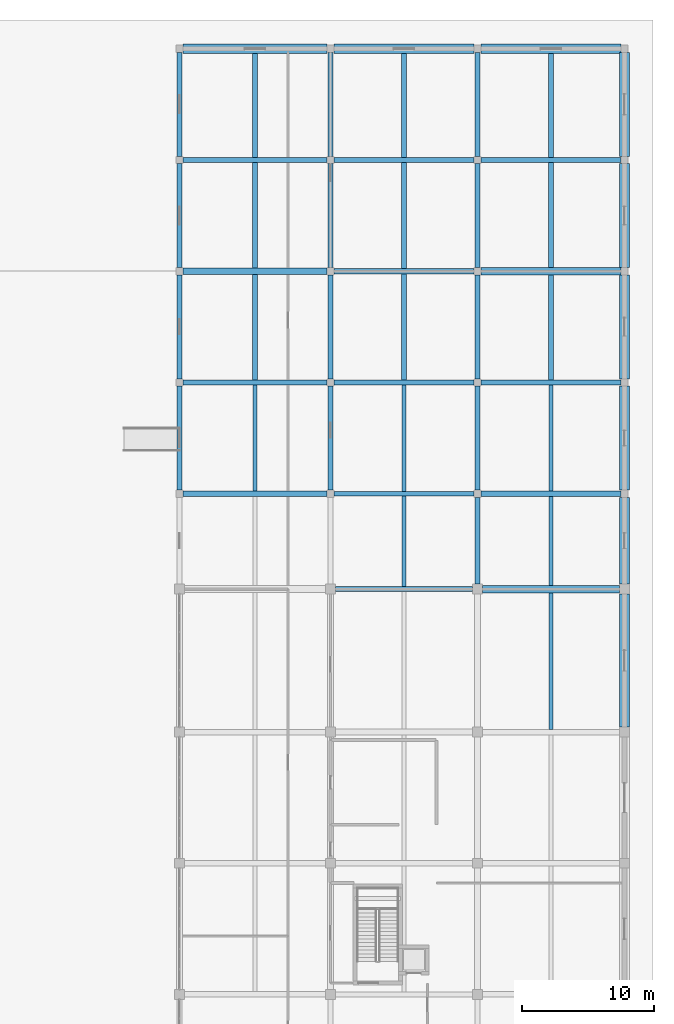
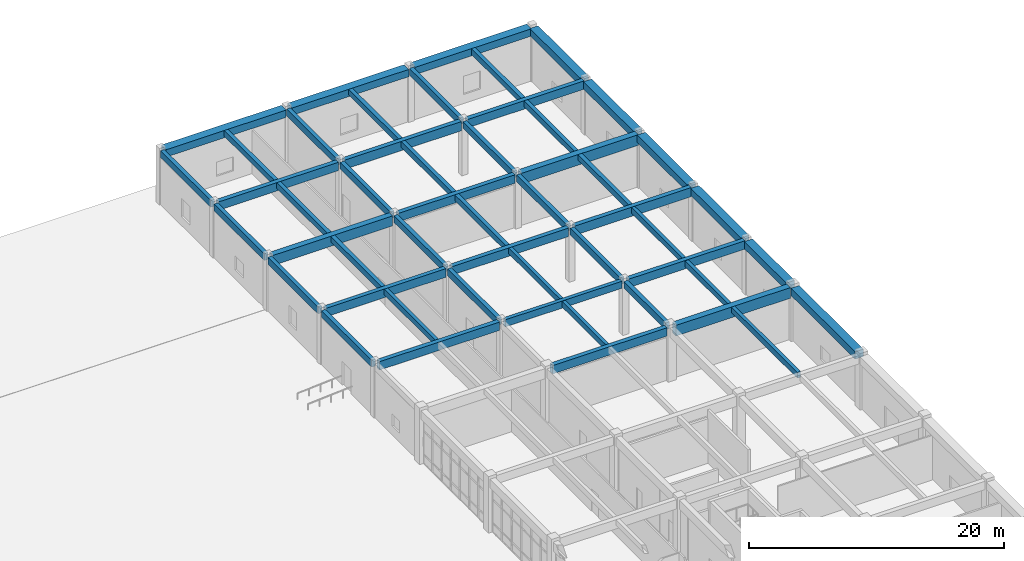
# One storey, part 33 of 70: 51 beams.
"""IFC4 building model written with IfcOpenShell, lengths in metres."""

import ifcopenshell
import ifcopenshell.guid

model = None  # the IFC model being written
_history = None  # IfcOwnerHistory: only IFC2X3 demands one
_inside = {}  # id of a spatial element -> (the spatial element, [elements in it])
_under = {}  # id of a project, library or spatial element -> (it, [spatial elements below it])
_declared = {}  # id of a project -> (the project, [libraries it declares])
_typed = {}  # id of a type object -> (the type object, [elements of that type])
_made_of = {}  # id of a material, layer set ... -> (it, [elements and type objects made of it])


def new_model(schema):
    """Start an empty IFC model of exactly this schema.

    Asked for "IFC4X3", IfcOpenShell would pick the latest addendum, in which some entities
    have other attributes; the version numbers below select the first issue.
    IFC2X3 requires an IfcOwnerHistory on every rooted entity: one is made here for all.
    """
    global model, _history
    if schema == "IFC4X3":
        model = ifcopenshell.file(schema_version=(4, 3, 0, 0))
    else:
        model = ifcopenshell.file(schema=schema)
    _inside.clear()
    _under.clear()
    _declared.clear()
    _typed.clear()
    _made_of.clear()
    _history = None
    if model.schema == "IFC2X3":
        org = make("IfcOrganization", Name="unknown")
        user = make(
            "IfcPersonAndOrganization",
            ThePerson=make("IfcPerson", FamilyName="unknown"),
            TheOrganization=org,
        )
        app = make(
            "IfcApplication",
            ApplicationDeveloper=org,
            Version="unknown",
            ApplicationFullName="unknown",
            ApplicationIdentifier="unknown",
        )
        _history = make(
            "IfcOwnerHistory",
            OwningUser=user,
            OwningApplication=app,
            ChangeAction="ADDED",
            CreationDate=0,
        )
    return model


def make(cls, **values):
    """One entity of the class cls with the attributes given. An attribute that is None is left unset."""
    return model.create_entity(
        cls, **{name: value for name, value in values.items() if value is not None}
    )


def rooted(cls, **values):
    """An entity with a GlobalId (a new one), such as an element, a storey or a relation."""
    return make(cls, GlobalId=ifcopenshell.guid.new(), OwnerHistory=_history, **values)


def si_unit(unit_type, name, prefix=None):
    """IfcSIUnit, for example si_unit("LENGTHUNIT", "METRE", prefix="MILLI")."""
    return make("IfcSIUnit", UnitType=unit_type, Prefix=prefix, Name=name)


def assignment(units):
    """IfcUnitAssignment: the units of a project."""
    return None if units is None else make("IfcUnitAssignment", Units=units)


def point(xyz):
    """IfcCartesianPoint."""
    return None if xyz is None else make("IfcCartesianPoint", Coordinates=xyz)


def direction(xyz):
    """IfcDirection."""
    return None if xyz is None else make("IfcDirection", DirectionRatios=xyz)


def frame(location, z_axis=None, x_axis=None):
    """IfcAxis2Placement3D, a coordinate frame: its origin and axes. An axis left out is left unset."""
    return make(
        "IfcAxis2Placement3D",
        Location=point(location),
        Axis=direction(z_axis),
        RefDirection=direction(x_axis),
    )


def frame_2d(location, x_axis=None):
    """IfcAxis2Placement2D, a coordinate frame in the plane: its origin and x axis."""
    return make(
        "IfcAxis2Placement2D", Location=point(location), RefDirection=direction(x_axis)
    )


def origin():
    """The frame at (0, 0, 0) with its axes left unset."""
    return frame((0.0, 0.0, 0.0))


def origin_2d():
    """The frame at (0, 0) in the plane with its x axis left unset."""
    return frame_2d((0.0, 0.0))


def place(relative_to, where):
    """IfcLocalPlacement: puts the frame where relative to a parent placement (None: the world)."""
    return make(
        "IfcLocalPlacement", PlacementRelTo=relative_to, RelativePlacement=where
    )


def context(
    kind, dimensions, precision=None, world=None, true_north=None, identifier=None
):
    """IfcGeometricRepresentationContext, for example the 3D "Model" context."""
    return make(
        "IfcGeometricRepresentationContext",
        ContextIdentifier=identifier,
        ContextType=kind,
        CoordinateSpaceDimension=dimensions,
        Precision=precision,
        WorldCoordinateSystem=world,
        TrueNorth=true_north,
    )


def subcontext(parent, identifier, kind, view, scale=None):
    """IfcGeometricRepresentationSubContext, for example "Body" below "Model"."""
    return make(
        "IfcGeometricRepresentationSubContext",
        ContextIdentifier=identifier,
        ContextType=kind,
        ParentContext=parent,
        TargetScale=scale,
        TargetView=view,
    )


def project(units=None, contexts=None):
    """IfcProject with its units and contexts."""
    return rooted(
        "IfcProject",
        Name="project",
        RepresentationContexts=contexts,
        UnitsInContext=assignment(units),
    )


def spatial(cls, under=None, at=None, **own):
    """A site, building, storey or space (cls), placed at a placement, below another one or the project."""
    s = rooted(cls, ObjectPlacement=at, **own)
    if under is not None:
        _under.setdefault(under.id(), (under, []))[1].append(s)
    return s


def profile(cls, at=None, kind="AREA", **sizes):
    """A parametric profile (cls). Its sizes go by their IFC names, for example OverallWidth=200.0."""
    return make(cls, ProfileType=kind, Position=at, **sizes)


def rectangle(**sizes):
    """IfcRectangleProfileDef."""
    return profile("IfcRectangleProfileDef", **sizes)


def extrude(swept, where, along, depth):
    """IfcExtrudedAreaSolid: the profile swept, set in the frame where, extruded along a direction by depth."""
    return make(
        "IfcExtrudedAreaSolid",
        SweptArea=swept,
        Position=where,
        ExtrudedDirection=direction(along),
        Depth=depth,
    )


def shape(context_of_items, identifier, shape_type, items):
    """IfcShapeRepresentation: the items that make up one representation, for example the "Body"."""
    return make(
        "IfcShapeRepresentation",
        ContextOfItems=context_of_items,
        RepresentationIdentifier=identifier,
        RepresentationType=shape_type,
        Items=items,
    )


def material(Name=None, Category=None):
    """IfcMaterial."""
    return make("IfcMaterial", Name=Name, Category=Category)


def material_profile(
    of_material, cross_section, Name=None, Category=None, Priority=None
):
    """IfcMaterialProfile: a cross section and its material."""
    return make(
        "IfcMaterialProfile",
        Name=Name,
        Material=of_material,
        Profile=cross_section,
        Priority=Priority,
        Category=Category,
    )


def profile_set(profiles, Name=None, composite=None):
    """IfcMaterialProfileSet."""
    return make(
        "IfcMaterialProfileSet",
        Name=Name,
        MaterialProfiles=profiles,
        CompositeProfile=composite,
    )


def made_of(thing, what):
    """Note that an element or type object is made of a material, layer set ...; save() writes the relation."""
    if what is not None:
        _made_of.setdefault(what.id(), (what, []))[1].append(thing)
    return thing


def type_object(cls, material=None, **own):
    """A type object (cls), such as IfcWallType, which elements share."""
    return made_of(rooted(cls, **own), material)


def element(
    cls,
    number,
    at=None,
    inside=None,
    cuts=None,
    type_object=None,
    material=None,
    context=None,
    identifier="Body",
    shape_type=None,
    held_by="IfcProductDefinitionShape",
    body=None,
    shapes=None,
    **own,
):
    """One element of the class cls, such as IfcWall. Its Tag is "e" and its number.

    at: its placement. inside: the storey or other place that contains it. cuts: it is an
    opening in that element (IfcRelVoidsElement). A single representation is given by context,
    identifier, shape_type and body (its items); several are given by shapes. held_by: the class
    of the entity that holds the representations. save() writes the other relations.
    """
    e = rooted(cls, Tag="e%d" % number, ObjectPlacement=at, **own)
    if body is not None:
        shapes = [shape(context, identifier, shape_type, body)]
    if shapes is not None:
        e.Representation = make(held_by, Representations=shapes)
    if inside is not None:
        _inside.setdefault(inside.id(), (inside, []))[1].append(e)
    if cuts is not None:
        rooted(
            "IfcRelVoidsElement", RelatingBuildingElement=cuts, RelatedOpeningElement=e
        )
    if type_object is not None:
        _typed.setdefault(type_object.id(), (type_object, []))[1].append(e)
    return made_of(e, material)


def aggregate(whole, parts):
    """IfcRelAggregates: a whole, such as a stair, and the parts it consists of."""
    return rooted("IfcRelAggregates", RelatingObject=whole, RelatedObjects=parts)


def save(model, path):
    """Write the relations noted so far, then the file.

    IfcRelAggregates (storeys below a building ...), IfcRelContainedInSpatialStructure (elements
    in a storey), IfcRelDefinesByType, IfcRelAssociatesMaterial and IfcRelDeclares: one each for
    every whole, place, type object, material and project.
    """
    for whole, parts in _under.values():
        aggregate(whole, parts)
    for where, things in _inside.values():
        rooted(
            "IfcRelContainedInSpatialStructure",
            RelatedElements=things,
            RelatingStructure=where,
        )
    for kind, things in _typed.values():
        rooted("IfcRelDefinesByType", RelatedObjects=things, RelatingType=kind)
    for what, things in _made_of.values():
        rooted("IfcRelAssociatesMaterial", RelatedObjects=things, RelatingMaterial=what)
    for by, libraries in _declared.values():
        rooted("IfcRelDeclares", RelatingContext=by, RelatedDefinitions=libraries)
    model.write(path)


model = new_model("IFC4")

# Units and contexts
model_context = context("Model", 3, precision=1e-05, world=origin(), true_north=direction((0.0, 1.0)))
body_context = subcontext(model_context, "Body", "Model", "MODEL_VIEW")
ifc_project = project(units=[si_unit("LENGTHUNIT", "METRE"), si_unit("AREAUNIT", "SQUARE_METRE"), si_unit("VOLUMEUNIT", "CUBIC_METRE"), si_unit("PLANEANGLEUNIT", "RADIAN"), si_unit("MASSUNIT", "GRAM", prefix="KILO")], contexts=[model_context])

# Site, building, storey
site_placement = place(None, origin())
site = spatial("IfcSite", under=ifc_project, at=site_placement, CompositionType="ELEMENT")
building_placement = place(site_placement, origin())
building = spatial("IfcBuilding", under=site, at=building_placement, Name="Miralva Faculty of Natural Sciences", CompositionType="ELEMENT")
storey_placement = place(building_placement, origin())
storey = spatial("IfcBuildingStorey", under=building, at=storey_placement, Name="L00", CompositionType="ELEMENT", Elevation=0.0)

# Beams
ifc_material = material(Name="Concrete C40/50", Category="concrete")
ifc_material_profile_1 = material_profile(ifc_material, rectangle(XDim=0.39990234375, YDim=0.800048828125, at=origin_2d()), Name="RC 400x800")
ifc_profile_set_1 = profile_set([ifc_material_profile_1], Name="Concrete C40/50")
beam_type_1 = type_object("IfcBeamType", Name="BM-B02", PredefinedType="BEAM", material=ifc_profile_set_1)
beam_1_placement = place(storey_placement, frame((145.574951171875, 76.199951171875, 4.719970703125), z_axis=(1.0, 0.0, 0.0), x_axis=(0.0, 1.0, 0.0)))
element("IfcBeam", 1, at=beam_1_placement, inside=storey, type_object=beam_type_1, Name="Girder EW L00-64", PredefinedType="BEAM", context=body_context, shape_type="SweptSolid", body=[
    extrude(rectangle(XDim=0.39990234375, YDim=0.800048828125, at=origin_2d()), origin(), (0.0, 0.0, 1.0), 10.35009765625),
])
beam_2_placement = place(storey_placement, frame((134.074951171875, 83.39990234375, 4.75), z_axis=(1.0, 0.0, 0.0), x_axis=(0.0, 1.0, 0.0)))
element("IfcBeam", 2, at=beam_2_placement, inside=storey, type_object=beam_type_1, Name="Girder EW L00-68", PredefinedType="BEAM", context=body_context, shape_type="SweptSolid", body=[
    extrude(rectangle(XDim=0.39990234375, YDim=0.800048828125, at=origin_2d()), origin(), (0.0, 0.0, 1.0), 10.85009765625),
])
beam_3_placement = place(storey_placement, frame((156.574951171875, 83.39990234375, 4.75), z_axis=(1.0, 0.0, 0.0), x_axis=(0.0, 1.0, 0.0)))
element("IfcBeam", 3, at=beam_3_placement, inside=storey, type_object=beam_type_1, Name="Girder EW L00-70", PredefinedType="BEAM", context=body_context, shape_type="SweptSolid", body=[
    extrude(rectangle(XDim=0.39990234375, YDim=0.800048828125, at=origin_2d()), origin(), (0.0, 0.0, 1.0), 10.550048828125),
])
for number, where, z_axis, x_axis, name in (
    (4, (145.47509765625, 91.800048828125, 4.75), (1.0, 0.0, 0.0), (0.0, 1.0, 0.0), "Girder EW L00-74"),
    (5, (145.47509765625, 100.199951171875, 4.75), (1.0, 0.0, 0.0), (0.0, 1.0, 0.0), "Girder EW L00-86"),
):
    element("IfcBeam", number, at=place(storey_placement, frame(where, z_axis=z_axis, x_axis=x_axis)), inside=storey, type_object=beam_type_1, Name=name, PredefinedType="BEAM", context=body_context, shape_type="SweptSolid", body=[
        extrude(rectangle(XDim=0.39990234375, YDim=0.800048828125, at=origin_2d()), origin(), (0.0, 0.0, 1.0), 10.5498046875),
    ])
beam_4_placement = place(storey_placement, frame((134.074951171875, 108.60009765625, 4.75), z_axis=(1.0, 0.0, 0.0), x_axis=(0.0, 1.0, 0.0)))
element("IfcBeam", 6, at=beam_4_placement, inside=storey, type_object=beam_type_1, Name="Girder EW L00-96", PredefinedType="BEAM", context=body_context, shape_type="SweptSolid", body=[
    extrude(rectangle(XDim=0.39990234375, YDim=0.800048828125, at=origin_2d()), origin(), (0.0, 0.0, 1.0), 10.85009765625),
])
beam_5_placement = place(storey_placement, frame((156.574951171875, 108.60009765625, 4.75), z_axis=(1.0, 0.0, 0.0), x_axis=(0.0, 1.0, 0.0)))
element("IfcBeam", 7, at=beam_5_placement, inside=storey, type_object=beam_type_1, Name="Girder EW L00-98", PredefinedType="BEAM", context=body_context, shape_type="SweptSolid", body=[
    extrude(rectangle(XDim=0.39990234375, YDim=0.800048828125, at=origin_2d()), origin(), (0.0, 0.0, 1.0), 10.550048828125),
])
ifc_material_profile_2 = material_profile(ifc_material, rectangle(XDim=0.35009765625, YDim=0.64990234375, at=origin_2d()), Name="RC 350x650")
ifc_profile_set_2 = profile_set([ifc_material_profile_2], Name="Concrete C40/50")
beam_type_2 = type_object("IfcBeamType", Name="BM-B05", PredefinedType="BEAM", material=ifc_profile_set_2)
beam_6_placement = place(storey_placement, frame((133.800048828125, 83.675048828125, 4.824951171875), z_axis=(0.0, 1.0, 0.0), x_axis=(-1.0, 0.0, 0.0)))
element("IfcBeam", 8, at=beam_6_placement, inside=storey, type_object=beam_type_2, Name="Girder NS L00-183", PredefinedType="BEAM", context=body_context, shape_type="SweptSolid", body=[
    extrude(rectangle(XDim=0.35009765625, YDim=0.64990234375, at=origin_2d()), origin(), (0.0, 0.0, 1.0), 7.849853515625),
])
beam_7_placement = place(storey_placement, frame((133.800048828125, 92.074951171875, 4.824951171875), z_axis=(0.0, 1.0, 0.0), x_axis=(-1.0, 0.0, 0.0)))
element("IfcBeam", 9, at=beam_7_placement, inside=storey, type_object=beam_type_2, Name="Girder NS L00-184", PredefinedType="BEAM", context=body_context, shape_type="SweptSolid", body=[
    extrude(rectangle(XDim=0.35009765625, YDim=0.64990234375, at=origin_2d()), origin(), (0.0, 0.0, 1.0), 7.85009765625),
])
beam_8_placement = place(storey_placement, frame((133.800048828125, 100.47509765625, 4.824951171875), z_axis=(0.0, 1.0, 0.0), x_axis=(-1.0, 0.0, 0.0)))
element("IfcBeam", 10, at=beam_8_placement, inside=storey, type_object=beam_type_2, Name="Girder NS L00-185", PredefinedType="BEAM", context=body_context, shape_type="SweptSolid", body=[
    extrude(rectangle(XDim=0.35009765625, YDim=0.64990234375, at=origin_2d()), origin(), (0.0, 0.0, 1.0), 7.849853515625),
])
beam_9_placement = place(storey_placement, frame((133.800048828125, 108.875, 4.824951171875), z_axis=(0.0, 1.0, 0.0), x_axis=(-1.0, 0.0, 0.0)))
element("IfcBeam", 11, at=beam_9_placement, inside=storey, type_object=beam_type_2, Name="Girder NS L00-186", PredefinedType="BEAM", context=body_context, shape_type="SweptSolid", body=[
    extrude(rectangle(XDim=0.35009765625, YDim=0.64990234375, at=origin_2d()), origin(), (0.0, 0.0, 1.0), 7.85009765625),
])
beam_10_placement = place(storey_placement, frame((145.199951171875, 83.675048828125, 4.824951171875), z_axis=(0.0, 1.0, 0.0), x_axis=(-1.0, 0.0, 0.0)))
element("IfcBeam", 12, at=beam_10_placement, inside=storey, type_object=beam_type_2, Name="Girder NS L00-195", PredefinedType="BEAM", context=body_context, shape_type="SweptSolid", body=[
    extrude(rectangle(XDim=0.35009765625, YDim=0.64990234375, at=origin_2d()), origin(), (0.0, 0.0, 1.0), 7.849853515625),
])
beam_11_placement = place(storey_placement, frame((145.199951171875, 92.074951171875, 4.824951171875), z_axis=(0.0, 1.0, 0.0), x_axis=(-1.0, 0.0, 0.0)))
element("IfcBeam", 13, at=beam_11_placement, inside=storey, type_object=beam_type_2, Name="Girder NS L00-196", PredefinedType="BEAM", context=body_context, shape_type="SweptSolid", body=[
    extrude(rectangle(XDim=0.35009765625, YDim=0.64990234375, at=origin_2d()), origin(), (0.0, 0.0, 1.0), 7.85009765625),
])
beam_12_placement = place(storey_placement, frame((145.199951171875, 100.47509765625, 4.824951171875), z_axis=(0.0, 1.0, 0.0), x_axis=(-1.0, 0.0, 0.0)))
element("IfcBeam", 14, at=beam_12_placement, inside=storey, type_object=beam_type_2, Name="Girder NS L00-197", PredefinedType="BEAM", context=body_context, shape_type="SweptSolid", body=[
    extrude(rectangle(XDim=0.35009765625, YDim=0.64990234375, at=origin_2d()), origin(), (0.0, 0.0, 1.0), 7.849853515625),
])
beam_13_placement = place(storey_placement, frame((145.199951171875, 108.875, 4.824951171875), z_axis=(0.0, 1.0, 0.0), x_axis=(-1.0, 0.0, 0.0)))
element("IfcBeam", 15, at=beam_13_placement, inside=storey, type_object=beam_type_2, Name="Girder NS L00-198", PredefinedType="BEAM", context=body_context, shape_type="SweptSolid", body=[
    extrude(rectangle(XDim=0.35009765625, YDim=0.64990234375, at=origin_2d()), origin(), (0.0, 0.0, 1.0), 7.85009765625),
])
beam_14_placement = place(storey_placement, frame((156.300048828125, 76.574951171875, 4.824951171875), z_axis=(0.0, 1.0, 0.0), x_axis=(-1.0, 0.0, 0.0)))
element("IfcBeam", 16, at=beam_14_placement, inside=storey, type_object=beam_type_2, Name="Girder NS L00-206", PredefinedType="BEAM", context=body_context, shape_type="SweptSolid", body=[
    extrude(rectangle(XDim=0.35009765625, YDim=0.64990234375, at=origin_2d()), origin(), (0.0, 0.0, 1.0), 6.550048828125),
])
beam_15_placement = place(storey_placement, frame((156.300048828125, 83.675048828125, 4.824951171875), z_axis=(0.0, 1.0, 0.0), x_axis=(-1.0, 0.0, 0.0)))
element("IfcBeam", 17, at=beam_15_placement, inside=storey, type_object=beam_type_2, Name="Girder NS L00-207", PredefinedType="BEAM", context=body_context, shape_type="SweptSolid", body=[
    extrude(rectangle(XDim=0.35009765625, YDim=0.64990234375, at=origin_2d()), origin(), (0.0, 0.0, 1.0), 7.849853515625),
])
beam_16_placement = place(storey_placement, frame((156.300048828125, 92.074951171875, 4.824951171875), z_axis=(0.0, 1.0, 0.0), x_axis=(-1.0, 0.0, 0.0)))
element("IfcBeam", 18, at=beam_16_placement, inside=storey, type_object=beam_type_2, Name="Girder NS L00-208", PredefinedType="BEAM", context=body_context, shape_type="SweptSolid", body=[
    extrude(rectangle(XDim=0.35009765625, YDim=0.64990234375, at=origin_2d()), origin(), (0.0, 0.0, 1.0), 7.85009765625),
])
beam_17_placement = place(storey_placement, frame((156.300048828125, 100.47509765625, 4.824951171875), z_axis=(0.0, 1.0, 0.0), x_axis=(-1.0, 0.0, 0.0)))
element("IfcBeam", 19, at=beam_17_placement, inside=storey, type_object=beam_type_2, Name="Girder NS L00-209", PredefinedType="BEAM", context=body_context, shape_type="SweptSolid", body=[
    extrude(rectangle(XDim=0.35009765625, YDim=0.64990234375, at=origin_2d()), origin(), (0.0, 0.0, 1.0), 7.849853515625),
])
beam_18_placement = place(storey_placement, frame((156.300048828125, 108.875, 4.824951171875), z_axis=(0.0, 1.0, 0.0), x_axis=(-1.0, 0.0, 0.0)))
element("IfcBeam", 20, at=beam_18_placement, inside=storey, type_object=beam_type_2, Name="Girder NS L00-210", PredefinedType="BEAM", context=body_context, shape_type="SweptSolid", body=[
    extrude(rectangle(XDim=0.35009765625, YDim=0.64990234375, at=origin_2d()), origin(), (0.0, 0.0, 1.0), 7.85009765625),
])
ifc_material_profile_3 = material_profile(ifc_material, rectangle(XDim=0.340087890625, YDim=0.679931640625, at=origin_2d()), Name="RC 340x680")
ifc_profile_set_3 = profile_set([ifc_material_profile_3], Name="Concrete C40/50")
beam_type_3 = type_object("IfcBeamType", Name="BM-BG04", PredefinedType="BEAM", material=ifc_profile_set_3)
beam_19_placement = place(storey_placement, frame((145.47509765625, 83.39990234375, 4.81005859375), z_axis=(1.0, 0.0, 0.0), x_axis=(0.0, 1.0, 0.0)))
element("IfcBeam", 21, at=beam_19_placement, inside=storey, type_object=beam_type_3, Name="Girder EW L00-69", PredefinedType="BEAM", context=body_context, shape_type="SweptSolid", body=[
    extrude(rectangle(XDim=0.340087890625, YDim=0.679931640625, at=origin_2d()), origin(), (0.0, 0.0, 1.0), 10.5498046875),
])
ifc_material_profile_4 = material_profile(ifc_material, rectangle(XDim=0.3798828125, YDim=0.820068359375, at=origin_2d()), Name="RC 380x820")
ifc_profile_set_4 = profile_set([ifc_material_profile_4], Name="Concrete C40/50")
beam_type_4 = type_object("IfcBeamType", Name="BM-BG08", PredefinedType="BEAM", material=ifc_profile_set_4)
beam_20_placement = place(storey_placement, frame((134.074951171875, 91.800048828125, 4.739990234375), z_axis=(1.0, 0.0, 0.0), x_axis=(0.0, 1.0, 0.0)))
element("IfcBeam", 22, at=beam_20_placement, inside=storey, type_object=beam_type_4, Name="Girder EW L00-73", PredefinedType="BEAM", context=body_context, shape_type="SweptSolid", body=[
    extrude(rectangle(XDim=0.3798828125, YDim=0.820068359375, at=origin_2d()), origin(), (0.0, 0.0, 1.0), 10.85009765625),
])
ifc_material_profile_5 = material_profile(ifc_material, rectangle(XDim=0.39990234375, YDim=0.8798828125, at=origin_2d()), Name="RC 400x880")
ifc_profile_set_5 = profile_set([ifc_material_profile_5], Name="Concrete C40/50")
beam_type_5 = type_object("IfcBeamType", Name="BM-BG10", PredefinedType="BEAM", material=ifc_profile_set_5)
beam_21_placement = place(storey_placement, frame((156.574951171875, 91.800048828125, 4.7099609375), z_axis=(1.0, 0.0, 0.0), x_axis=(0.0, 1.0, 0.0)))
element("IfcBeam", 23, at=beam_21_placement, inside=storey, type_object=beam_type_5, Name="Girder EW L00-75", PredefinedType="BEAM", context=body_context, shape_type="SweptSolid", body=[
    extrude(rectangle(XDim=0.39990234375, YDim=0.8798828125, at=origin_2d()), origin(), (0.0, 0.0, 1.0), 10.550048828125),
])
beam_22_placement = place(storey_placement, frame((145.47509765625, 108.60009765625, 4.7099609375), z_axis=(1.0, 0.0, 0.0), x_axis=(0.0, 1.0, 0.0)))
element("IfcBeam", 24, at=beam_22_placement, inside=storey, type_object=beam_type_5, Name="Girder EW L00-97", PredefinedType="BEAM", context=body_context, shape_type="SweptSolid", body=[
    extrude(rectangle(XDim=0.39990234375, YDim=0.8798828125, at=origin_2d()), origin(), (0.0, 0.0, 1.0), 10.5498046875),
])
ifc_material_profile_6 = material_profile(ifc_material, rectangle(XDim=0.52001953125, YDim=0.9599609375, at=origin_2d()), Name="RC 520x960")
ifc_profile_set_6 = profile_set([ifc_material_profile_6], Name="Concrete C40/50")
beam_type_6 = type_object("IfcBeamType", Name="BM-BG20", PredefinedType="BEAM", material=ifc_profile_set_6)
beam_23_placement = place(storey_placement, frame((134.074951171875, 100.199951171875, 4.669921875), z_axis=(1.0, 0.0, 0.0), x_axis=(0.0, 1.0, 0.0)))
element("IfcBeam", 25, at=beam_23_placement, inside=storey, type_object=beam_type_6, Name="Girder EW L00-85", PredefinedType="BEAM", context=body_context, shape_type="SweptSolid", body=[
    extrude(rectangle(XDim=0.52001953125, YDim=0.9599609375, at=origin_2d()), origin(), (0.0, 0.0, 1.0), 10.85009765625),
])
ifc_material_profile_7 = material_profile(ifc_material, rectangle(XDim=0.56005859375, YDim=1.02001953125, at=origin_2d()), Name="RC 560x1020")
ifc_profile_set_7 = profile_set([ifc_material_profile_7], Name="Concrete C40/50")
beam_type_7 = type_object("IfcBeamType", Name="BM-BG22", PredefinedType="BEAM", material=ifc_profile_set_7)
beam_24_placement = place(storey_placement, frame((156.675048828125, 76.199951171875, 4.610107421875), z_axis=(1.0, 0.0, 0.0), x_axis=(0.0, 1.0, 0.0)))
element("IfcBeam", 26, at=beam_24_placement, inside=storey, type_object=beam_type_7, Name="Girder EW L00-65", PredefinedType="BEAM", context=body_context, shape_type="SweptSolid", body=[
    extrude(rectangle(XDim=0.56005859375, YDim=1.02001953125, at=origin_2d()), origin(), (0.0, 0.0, 1.0), 10.349853515625),
])
beam_25_placement = place(storey_placement, frame((156.574951171875, 100.199951171875, 4.639892578125), z_axis=(1.0, 0.0, 0.0), x_axis=(0.0, 1.0, 0.0)))
element("IfcBeam", 27, at=beam_25_placement, inside=storey, type_object=beam_type_7, Name="Girder EW L00-87", PredefinedType="BEAM", context=body_context, shape_type="SweptSolid", body=[
    extrude(rectangle(XDim=0.56005859375, YDim=1.02001953125, at=origin_2d()), origin(), (0.0, 0.0, 1.0), 10.550048828125),
])
ifc_material_profile_8 = material_profile(ifc_material, rectangle(XDim=0.300048828125, YDim=0.550048828125, at=origin_2d()), Name="RC 300x550")
ifc_profile_set_8 = profile_set([ifc_material_profile_8], Name="Concrete C40/50")
beam_type_8 = type_object("IfcBeamType", Name="BM-J02", PredefinedType="JOIST", material=ifc_profile_set_8)
beam_26_placement = place(storey_placement, frame((161.85009765625, 65.60009765625, 4.844970703125), z_axis=(0.0, 1.0, 0.0), x_axis=(-1.0, 0.0, 0.0)))
element("IfcBeam", 28, at=beam_26_placement, inside=storey, type_object=beam_type_8, Name="Floor joist L00-25", PredefinedType="JOIST", context=body_context, shape_type="SweptSolid", body=[
    extrude(rectangle(XDim=0.300048828125, YDim=0.550048828125, at=origin_2d()), origin(), (0.0, 0.0, 1.0), 10.31982421875),
])
beam_27_placement = place(storey_placement, frame((150.75, 76.39990234375, 4.844970703125), z_axis=(0.0, 1.0, 0.0), x_axis=(-1.0, 0.0, 0.0)))
element("IfcBeam", 29, at=beam_27_placement, inside=storey, type_object=beam_type_8, Name="Floor joist L00-29", PredefinedType="JOIST", context=body_context, shape_type="SweptSolid", body=[
    extrude(rectangle(XDim=0.300048828125, YDim=0.550048828125, at=origin_2d()), origin(), (0.0, 0.0, 1.0), 6.830078125),
])
beam_28_placement = place(storey_placement, frame((161.85009765625, 76.47998046875, 4.844970703125), z_axis=(0.0, 1.0, 0.0), x_axis=(-1.0, 0.0, 0.0)))
element("IfcBeam", 30, at=beam_28_placement, inside=storey, type_object=beam_type_8, Name="Floor joist L00-30", PredefinedType="JOIST", context=body_context, shape_type="SweptSolid", body=[
    extrude(rectangle(XDim=0.300048828125, YDim=0.550048828125, at=origin_2d()), origin(), (0.0, 0.0, 1.0), 6.719970703125),
])
beam_29_placement = place(storey_placement, frame((139.5, 83.60009765625, 4.875), z_axis=(0.0, 1.0, 0.0), x_axis=(-1.0, 0.0, 0.0)))
element("IfcBeam", 31, at=beam_29_placement, inside=storey, type_object=beam_type_8, Name="Floor joist L00-33", PredefinedType="JOIST", context=body_context, shape_type="SweptSolid", body=[
    extrude(rectangle(XDim=0.300048828125, YDim=0.550048828125, at=origin_2d()), origin(), (0.0, 0.0, 1.0), 8.010009765625),
])
beam_30_placement = place(storey_placement, frame((150.75, 83.570068359375, 4.875), z_axis=(0.0, 1.0, 0.0), x_axis=(-1.0, 0.0, 0.0)))
element("IfcBeam", 32, at=beam_30_placement, inside=storey, type_object=beam_type_8, Name="Floor joist L00-34", PredefinedType="JOIST", context=body_context, shape_type="SweptSolid", body=[
    extrude(rectangle(XDim=0.300048828125, YDim=0.550048828125, at=origin_2d()), origin(), (0.0, 0.0, 1.0), 8.030029296875),
])
beam_31_placement = place(storey_placement, frame((161.85009765625, 83.60009765625, 4.875), z_axis=(0.0, 1.0, 0.0), x_axis=(-1.0, 0.0, 0.0)))
element("IfcBeam", 33, at=beam_31_placement, inside=storey, type_object=beam_type_8, Name="Floor joist L00-35", PredefinedType="JOIST", context=body_context, shape_type="SweptSolid", body=[
    extrude(rectangle(XDim=0.300048828125, YDim=0.550048828125, at=origin_2d()), origin(), (0.0, 0.0, 1.0), 8.0),
])
ifc_material_profile_9 = material_profile(ifc_material, rectangle(XDim=0.35009765625, YDim=0.550048828125, at=origin_2d()), Name="RC 350x550")
ifc_profile_set_9 = profile_set([ifc_material_profile_9], Name="Concrete C40/50")
beam_type_9 = type_object("IfcBeamType", Name="BM-J04", PredefinedType="JOIST", material=ifc_profile_set_9)
beam_32_placement = place(storey_placement, frame((139.5, 91.989990234375, 4.875), z_axis=(0.0, 1.0, 0.0), x_axis=(-1.0, 0.0, 0.0)))
element("IfcBeam", 34, at=beam_32_placement, inside=storey, type_object=beam_type_9, Name="Floor joist L00-38", PredefinedType="JOIST", context=body_context, shape_type="SweptSolid", body=[
    extrude(rectangle(XDim=0.35009765625, YDim=0.550048828125, at=origin_2d()), origin(), (0.0, 0.0, 1.0), 7.949951171875),
])
beam_33_placement = place(storey_placement, frame((150.75, 92.0, 4.875), z_axis=(0.0, 1.0, 0.0), x_axis=(-1.0, 0.0, 0.0)))
element("IfcBeam", 35, at=beam_33_placement, inside=storey, type_object=beam_type_9, Name="Floor joist L00-39", PredefinedType="JOIST", context=body_context, shape_type="SweptSolid", body=[
    extrude(rectangle(XDim=0.35009765625, YDim=0.550048828125, at=origin_2d()), origin(), (0.0, 0.0, 1.0), 8.0),
])
beam_34_placement = place(storey_placement, frame((161.85009765625, 92.0, 4.875), z_axis=(0.0, 1.0, 0.0), x_axis=(-1.0, 0.0, 0.0)))
element("IfcBeam", 36, at=beam_34_placement, inside=storey, type_object=beam_type_9, Name="Floor joist L00-40", PredefinedType="JOIST", context=body_context, shape_type="SweptSolid", body=[
    extrude(rectangle(XDim=0.35009765625, YDim=0.550048828125, at=origin_2d()), origin(), (0.0, 0.0, 1.0), 7.919921875),
])
beam_35_placement = place(storey_placement, frame((139.5, 100.4599609375, 4.875), z_axis=(0.0, 1.0, 0.0), x_axis=(-1.0, 0.0, 0.0)))
element("IfcBeam", 37, at=beam_35_placement, inside=storey, type_object=beam_type_9, Name="Floor joist L00-49", PredefinedType="JOIST", context=body_context, shape_type="SweptSolid", body=[
    extrude(rectangle(XDim=0.35009765625, YDim=0.550048828125, at=origin_2d()), origin(), (0.0, 0.0, 1.0), 7.93994140625),
])
beam_36_placement = place(storey_placement, frame((150.75, 100.39990234375, 4.875), z_axis=(0.0, 1.0, 0.0), x_axis=(-1.0, 0.0, 0.0)))
element("IfcBeam", 38, at=beam_36_placement, inside=storey, type_object=beam_type_9, Name="Floor joist L00-50", PredefinedType="JOIST", context=body_context, shape_type="SweptSolid", body=[
    extrude(rectangle(XDim=0.35009765625, YDim=0.550048828125, at=origin_2d()), origin(), (0.0, 0.0, 1.0), 8.0),
])
beam_37_placement = place(storey_placement, frame((161.85009765625, 100.47998046875, 4.875), z_axis=(0.0, 1.0, 0.0), x_axis=(-1.0, 0.0, 0.0)))
element("IfcBeam", 39, at=beam_37_placement, inside=storey, type_object=beam_type_9, Name="Floor joist L00-51", PredefinedType="JOIST", context=body_context, shape_type="SweptSolid", body=[
    extrude(rectangle(XDim=0.35009765625, YDim=0.550048828125, at=origin_2d()), origin(), (0.0, 0.0, 1.0), 7.919921875),
])
for number, where, z_axis, x_axis, name in (
    (40, (139.5, 108.800048828125, 4.875), (0.0, 1.0, 0.0), (-1.0, 0.0, 0.0), "Floor joist L00-60"),
    (41, (150.75, 108.800048828125, 4.875), (0.0, 1.0, 0.0), (-1.0, 0.0, 0.0), "Floor joist L00-61"),
    (42, (161.85009765625, 108.800048828125, 4.875), (0.0, 1.0, 0.0), (-1.0, 0.0, 0.0), "Floor joist L00-62"),
):
    element("IfcBeam", number, at=place(storey_placement, frame(where, z_axis=z_axis, x_axis=x_axis)), inside=storey, type_object=beam_type_9, Name=name, PredefinedType="JOIST", context=body_context, shape_type="SweptSolid", body=[
        extrude(rectangle(XDim=0.35009765625, YDim=0.550048828125, at=origin_2d()), origin(), (0.0, 0.0, 1.0), 7.824951171875),
    ])
ifc_material_profile_10 = material_profile(ifc_material, rectangle(XDim=0.75, YDim=0.699951171875, at=origin_2d()), Name="RC 750x700")
ifc_profile_set_10 = profile_set([ifc_material_profile_10], Name="Concrete C40/50")
beam_type_10 = type_object("IfcBeamType", Name="BM-SP01", PredefinedType="SPANDREL", material=ifc_profile_set_10)
beam_38_placement = place(storey_placement, frame((134.074951171875, 117.0, 4.800048828125), z_axis=(1.0, 0.0, 0.0), x_axis=(0.0, 1.0, 0.0)))
element("IfcBeam", 43, at=beam_38_placement, inside=storey, type_object=beam_type_10, Name="Girder EW L00-108", PredefinedType="SPANDREL", context=body_context, shape_type="SweptSolid", body=[
    extrude(rectangle(XDim=0.75, YDim=0.699951171875, at=origin_2d()), origin(), (0.0, 0.0, 1.0), 10.85009765625),
])
beam_39_placement = place(storey_placement, frame((145.47509765625, 117.0, 4.800048828125), z_axis=(1.0, 0.0, 0.0), x_axis=(0.0, 1.0, 0.0)))
element("IfcBeam", 44, at=beam_39_placement, inside=storey, type_object=beam_type_10, Name="Girder EW L00-109", PredefinedType="SPANDREL", context=body_context, shape_type="SweptSolid", body=[
    extrude(rectangle(XDim=0.75, YDim=0.699951171875, at=origin_2d()), origin(), (0.0, 0.0, 1.0), 10.5498046875),
])
beam_40_placement = place(storey_placement, frame((156.574951171875, 117.0, 4.800048828125), z_axis=(1.0, 0.0, 0.0), x_axis=(0.0, 1.0, 0.0)))
element("IfcBeam", 45, at=beam_40_placement, inside=storey, type_object=beam_type_10, Name="Girder EW L00-110", PredefinedType="SPANDREL", context=body_context, shape_type="SweptSolid", body=[
    extrude(rectangle(XDim=0.75, YDim=0.699951171875, at=origin_2d()), origin(), (0.0, 0.0, 1.0), 10.550048828125),
])
beam_41_placement = place(storey_placement, frame((167.39990234375, 65.77490234375, 4.77001953125), z_axis=(0.0, 1.0, 0.0), x_axis=(-1.0, 0.0, 0.0)))
element("IfcBeam", 46, at=beam_41_placement, inside=storey, type_object=beam_type_10, Name="Girder NS L00-217", PredefinedType="SPANDREL", context=body_context, shape_type="SweptSolid", body=[
    extrude(rectangle(XDim=0.75, YDim=0.699951171875, at=origin_2d()), origin(), (0.0, 0.0, 1.0), 10.050048828125),
])
beam_42_placement = place(storey_placement, frame((167.39990234375, 76.574951171875, 4.800048828125), z_axis=(0.0, 1.0, 0.0), x_axis=(-1.0, 0.0, 0.0)))
element("IfcBeam", 47, at=beam_42_placement, inside=storey, type_object=beam_type_10, Name="Girder NS L00-218", PredefinedType="SPANDREL", context=body_context, shape_type="SweptSolid", body=[
    extrude(rectangle(XDim=0.75, YDim=0.699951171875, at=origin_2d()), origin(), (0.0, 0.0, 1.0), 6.550048828125),
])
beam_43_placement = place(storey_placement, frame((167.39990234375, 83.675048828125, 4.800048828125), z_axis=(0.0, 1.0, 0.0), x_axis=(-1.0, 0.0, 0.0)))
element("IfcBeam", 48, at=beam_43_placement, inside=storey, type_object=beam_type_10, Name="Girder NS L00-219", PredefinedType="SPANDREL", context=body_context, shape_type="SweptSolid", body=[
    extrude(rectangle(XDim=0.75, YDim=0.699951171875, at=origin_2d()), origin(), (0.0, 0.0, 1.0), 7.849853515625),
])
beam_44_placement = place(storey_placement, frame((167.39990234375, 92.074951171875, 4.800048828125), z_axis=(0.0, 1.0, 0.0), x_axis=(-1.0, 0.0, 0.0)))
element("IfcBeam", 49, at=beam_44_placement, inside=storey, type_object=beam_type_10, Name="Girder NS L00-220", PredefinedType="SPANDREL", context=body_context, shape_type="SweptSolid", body=[
    extrude(rectangle(XDim=0.75, YDim=0.699951171875, at=origin_2d()), origin(), (0.0, 0.0, 1.0), 7.85009765625),
])
beam_45_placement = place(storey_placement, frame((167.39990234375, 100.47509765625, 4.800048828125), z_axis=(0.0, 1.0, 0.0), x_axis=(-1.0, 0.0, 0.0)))
element("IfcBeam", 50, at=beam_45_placement, inside=storey, type_object=beam_type_10, Name="Girder NS L00-221", PredefinedType="SPANDREL", context=body_context, shape_type="SweptSolid", body=[
    extrude(rectangle(XDim=0.75, YDim=0.699951171875, at=origin_2d()), origin(), (0.0, 0.0, 1.0), 7.849853515625),
])
beam_46_placement = place(storey_placement, frame((167.39990234375, 108.875, 4.800048828125), z_axis=(0.0, 1.0, 0.0), x_axis=(-1.0, 0.0, 0.0)))
element("IfcBeam", 51, at=beam_46_placement, inside=storey, type_object=beam_type_10, Name="Girder NS L00-222", PredefinedType="SPANDREL", context=body_context, shape_type="SweptSolid", body=[
    extrude(rectangle(XDim=0.75, YDim=0.699951171875, at=origin_2d()), origin(), (0.0, 0.0, 1.0), 7.85009765625),
])

save(model, "model.ifc")
